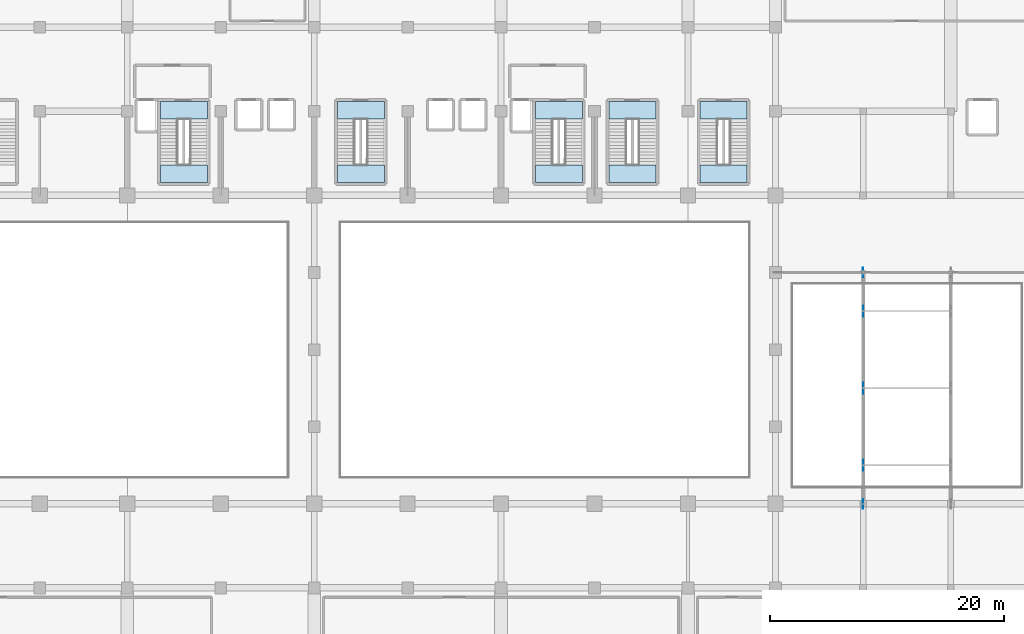
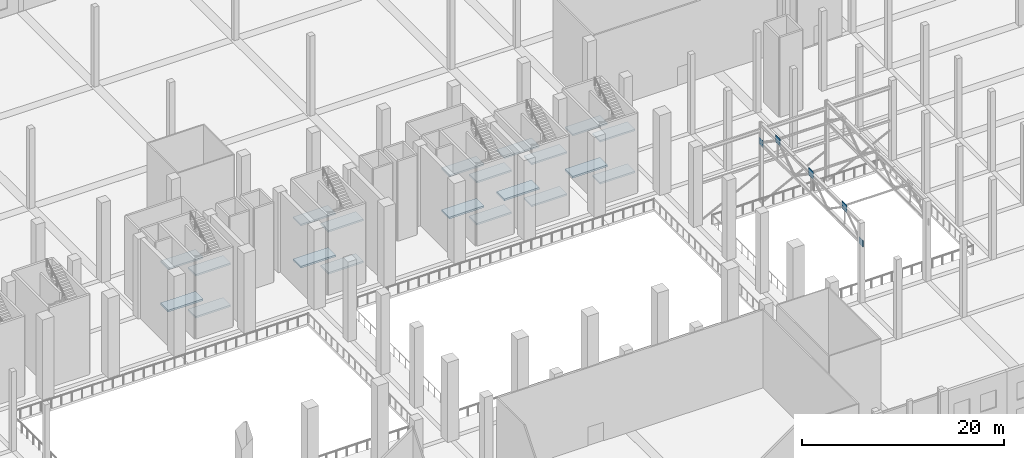
# One storey, part 55 of 80: 20 slabs, 5 plates, 5 elements without a shape of their own.
"""IFC4 building model written with IfcOpenShell, lengths in metres."""

from ifc_helpers import new_model, si_unit, direction, frame, origin, origin_2d, place, context, subcontext, project, spatial, polyline, rectangle, outline, extrude, material, layer, layer_set, type_object, element, aggregate, save


model = new_model("IFC4")

# Units and contexts
model_context = context("Model", 3, precision=1e-05, world=origin(), true_north=direction((0.0, 1.0)))
body_context = subcontext(model_context, "Body", "Model", "MODEL_VIEW")
ifc_project = project(units=[si_unit("LENGTHUNIT", "METRE"), si_unit("AREAUNIT", "SQUARE_METRE"), si_unit("VOLUMEUNIT", "CUBIC_METRE"), si_unit("PLANEANGLEUNIT", "RADIAN"), si_unit("MASSUNIT", "GRAM", prefix="KILO")], contexts=[model_context])

# Site, building, storey
site_placement = place(None, origin())
site = spatial("IfcSite", under=ifc_project, at=site_placement, CompositionType="ELEMENT")
building_placement = place(site_placement, origin())
building = spatial("IfcBuilding", under=site, at=building_placement, Name="Akrevak Sports Hall", CompositionType="ELEMENT")
storey_placement = place(building_placement, frame((0.0, 0.0, 14.0)))
storey = spatial("IfcBuildingStorey", under=building, at=storey_placement, Name="L03", CompositionType="ELEMENT", Elevation=14.0)

# Plates
ifc_material_1 = material(Name="Steel S355", Category="steel")
ifc_layer_1 = layer(ifc_material_1, 0.0400390625, Name="Steel S355")
ifc_layer_set_1 = layer_set([ifc_layer_1], Name="Steel S355")
plate_type_1 = type_object("IfcPlateType", Name="STR-PLT-ANCHOR-40", PredefinedType="SHEET", material=ifc_layer_set_1)
for number, where, z_axis, x_axis, name in (
    (1, (123.0, 28.800048828125, 6.7900390625), (0.0, 0.0, 1.0), (0.0, 1.0, 0.0), "Embedded Steel Anchor Plate TRS-3-E"),
    (2, (123.0, 48.60009765625, 6.7900390625), (0.0, 0.0, 1.0), (0.0, 1.0, 0.0), "Embedded Steel Anchor Plate TRS-3-H"),
):
    element("IfcPlate", number, at=place(storey_placement, frame(where, z_axis=z_axis, x_axis=x_axis)), inside=storey, type_object=plate_type_1, Name=name, PredefinedType="SHEET", context=body_context, shape_type="SweptSolid", body=[
        extrude(rectangle(XDim=0.800048828125, YDim=0.0400390625, at=origin_2d()), origin(), (0.0, 0.0, 1.0), 0.800048828125),
    ])
ifc_layer_2 = layer(ifc_material_1, 0.031982421875, Name="Steel S355")
ifc_layer_set_2 = layer_set([ifc_layer_2], Name="Steel S355")
plate_type_2 = type_object("IfcPlateType", Name="STR-PLT-GUSSET-32", PredefinedType="SHEET", material=ifc_layer_set_2)
for number, where, z_axis, x_axis, name in (
    (3, (123.0, 32.10009765625, 8.989990234375), (0.0, 0.0, 1.0), (1.0, 0.0, 0.0), "Roof Truss Concentric Gusset Plate TRS-3-1"),
    (4, (123.0, 38.699951171875, 8.989990234375), (0.0, 0.0, 1.0), (1.0, 0.0, 0.0), "Roof Truss Concentric Gusset Plate TRS-3-2"),
    (5, (123.0, 45.300048828125, 8.989990234375), (0.0, 0.0, 1.0), (1.0, 0.0, 0.0), "Roof Truss Concentric Gusset Plate TRS-3-3"),
):
    element("IfcPlate", number, at=place(storey_placement, frame(where, z_axis=z_axis, x_axis=x_axis)), inside=storey, type_object=plate_type_2, Name=name, PredefinedType="SHEET", context=body_context, shape_type="SweptSolid", body=[
        extrude(rectangle(XDim=0.031982421875, YDim=0.949951171875, at=origin_2d()), origin(), (0.0, 0.0, 1.0), 0.89990234375),
    ])

# Stair, slabs
ifc_material_2 = material(Name="Concrete C40/50", Category="concrete")
stair_type = type_object("IfcStairType", Name="ARC-STR-DOG-1015", PredefinedType="HALF_TURN_STAIR", material=ifc_material_2)
stair_1_placement = place(storey_placement, origin())
stair_1 = element("IfcStair", 6, at=stair_1_placement, inside=storey, type_object=stair_type, Name="Protected Exit Stair ST1 (L03 to L04)", PredefinedType="HALF_TURN_STAIR")
ifc_layer_3 = layer(ifc_material_2, 0.199951171875, Name="Concrete C40/50")
ifc_layer_set_3 = layer_set([ifc_layer_3], Name="Concrete C40/50")
slab_type_1 = type_object("IfcSlabType", Name="STR-SLB-LAND-200", PredefinedType="LANDING", material=ifc_layer_set_3)
slab_1_placement = place(storey_placement, frame((0.0, 0.0, 2.33740234375)))
slab_1 = element("IfcSlab", 7, at=slab_1_placement, type_object=slab_type_1, Name="Stair ST1 Half-Landing 1 (L03)", PredefinedType="LANDING", context=body_context, shape_type="SweptSolid", body=[
    extrude(outline(polyline([(62.85009765625, 56.300048828125), (66.85009765625, 56.300048828125), (66.85009765625, 57.81494140625), (62.85009765625, 57.81494140625), (62.85009765625, 56.300048828125)])), origin(), (0.0, 0.0, 1.0), 0.2001953125),
])
slab_2_placement = place(storey_placement, frame((0.0, 0.0, 4.875)))
slab_2 = element("IfcSlab", 8, at=slab_2_placement, type_object=slab_type_1, Name="Stair ST1 Half-Landing 2 (L03)", PredefinedType="LANDING", context=body_context, shape_type="SweptSolid", body=[
    extrude(outline(polyline([(62.85009765625, 61.735107421875), (66.85009765625, 61.735107421875), (66.85009765625, 63.25), (62.85009765625, 63.25), (62.85009765625, 61.735107421875)])), origin(), (0.0, 0.0, 1.0), 0.199951171875),
])
slab_3_placement = place(storey_placement, frame((0.0, 0.0, 7.41259765625)))
slab_3 = element("IfcSlab", 9, at=slab_3_placement, type_object=slab_type_1, Name="Stair ST1 Half-Landing 3 (L03)", PredefinedType="LANDING", context=body_context, shape_type="SweptSolid", body=[
    extrude(outline(polyline([(62.85009765625, 56.300048828125), (66.85009765625, 56.300048828125), (66.85009765625, 57.81494140625), (62.85009765625, 57.81494140625), (62.85009765625, 56.300048828125)])), origin(), (0.0, 0.0, 1.0), 0.199951171875),
])
aggregate(stair_1, [slab_1, slab_2, slab_3])

stair_2_placement = place(storey_placement, origin())
stair_2 = element("IfcStair", 10, at=stair_2_placement, inside=storey, type_object=stair_type, Name="Protected Exit Stair ST2 (L03 to L04)", PredefinedType="HALF_TURN_STAIR")
slab_4_placement = place(storey_placement, frame((0.0, 0.0, 2.33740234375)))
slab_4 = element("IfcSlab", 11, at=slab_4_placement, type_object=slab_type_1, Name="Stair ST2 Half-Landing 1 (L03)", PredefinedType="LANDING", context=body_context, shape_type="SweptSolid", body=[
    extrude(outline(polyline([(94.949951171875, 56.300048828125), (98.949951171875, 56.300048828125), (98.949951171875, 57.81494140625), (94.949951171875, 57.81494140625), (94.949951171875, 56.300048828125)])), origin(), (0.0, 0.0, 1.0), 0.2001953125),
])
slab_5_placement = place(storey_placement, frame((0.0, 0.0, 4.875)))
slab_5 = element("IfcSlab", 12, at=slab_5_placement, type_object=slab_type_1, Name="Stair ST2 Half-Landing 2 (L03)", PredefinedType="LANDING", context=body_context, shape_type="SweptSolid", body=[
    extrude(outline(polyline([(94.949951171875, 61.735107421875), (98.949951171875, 61.735107421875), (98.949951171875, 63.25), (94.949951171875, 63.25), (94.949951171875, 61.735107421875)])), origin(), (0.0, 0.0, 1.0), 0.199951171875),
])
slab_6_placement = place(storey_placement, frame((0.0, 0.0, 7.41259765625)))
slab_6 = element("IfcSlab", 13, at=slab_6_placement, type_object=slab_type_1, Name="Stair ST2 Half-Landing 3 (L03)", PredefinedType="LANDING", context=body_context, shape_type="SweptSolid", body=[
    extrude(outline(polyline([(94.949951171875, 56.300048828125), (98.949951171875, 56.300048828125), (98.949951171875, 57.81494140625), (94.949951171875, 57.81494140625), (94.949951171875, 56.300048828125)])), origin(), (0.0, 0.0, 1.0), 0.199951171875),
])
aggregate(stair_2, [slab_4, slab_5, slab_6])

stair_3_placement = place(storey_placement, origin())
stair_3 = element("IfcStair", 14, at=stair_3_placement, inside=storey, type_object=stair_type, Name="Protected Exit Stair ST3 (L03 to L04)", PredefinedType="HALF_TURN_STAIR")
slab_7_placement = place(storey_placement, frame((0.0, 0.0, 2.33740234375)))
slab_7 = element("IfcSlab", 15, at=slab_7_placement, type_object=slab_type_1, Name="Stair ST3 Half-Landing 1 (L03)", PredefinedType="LANDING", context=body_context, shape_type="SweptSolid", body=[
    extrude(outline(polyline([(78.0, 56.300048828125), (82.0, 56.300048828125), (82.0, 57.81494140625), (78.0, 57.81494140625), (78.0, 56.300048828125)])), origin(), (0.0, 0.0, 1.0), 0.2001953125),
])
slab_8_placement = place(storey_placement, frame((0.0, 0.0, 4.875)))
slab_8 = element("IfcSlab", 16, at=slab_8_placement, type_object=slab_type_1, Name="Stair ST3 Half-Landing 2 (L03)", PredefinedType="LANDING", context=body_context, shape_type="SweptSolid", body=[
    extrude(outline(polyline([(78.0, 61.735107421875), (82.0, 61.735107421875), (82.0, 63.25), (78.0, 63.25), (78.0, 61.735107421875)])), origin(), (0.0, 0.0, 1.0), 0.199951171875),
])
slab_9_placement = place(storey_placement, frame((0.0, 0.0, 7.41259765625)))
slab_9 = element("IfcSlab", 17, at=slab_9_placement, type_object=slab_type_1, Name="Stair ST3 Half-Landing 3 (L03)", PredefinedType="LANDING", context=body_context, shape_type="SweptSolid", body=[
    extrude(outline(polyline([(78.0, 56.300048828125), (82.0, 56.300048828125), (82.0, 57.81494140625), (78.0, 57.81494140625), (78.0, 56.300048828125)])), origin(), (0.0, 0.0, 1.0), 0.199951171875),
])
aggregate(stair_3, [slab_7, slab_8, slab_9])

stair_4_placement = place(storey_placement, origin())
stair_4 = element("IfcStair", 18, at=stair_4_placement, inside=storey, type_object=stair_type, Name="East Wing Exit Stair ST10 (L03 to L04)", PredefinedType="HALF_TURN_STAIR")
slab_10_placement = place(storey_placement, frame((0.0, 0.0, 2.33740234375)))
slab_10 = element("IfcSlab", 19, at=slab_10_placement, type_object=slab_type_1, Name="Stair ST10 Half-Landing 1 (L03)", PredefinedType="LANDING", context=body_context, shape_type="SweptSolid", body=[
    extrude(outline(polyline([(101.25, 56.300048828125), (105.25, 56.300048828125), (105.25, 57.81494140625), (101.25, 57.81494140625), (101.25, 56.300048828125)])), origin(), (0.0, 0.0, 1.0), 0.2001953125),
])
slab_11_placement = place(storey_placement, frame((0.0, 0.0, 4.875)))
slab_11 = element("IfcSlab", 20, at=slab_11_placement, type_object=slab_type_1, Name="Stair ST10 Half-Landing 2 (L03)", PredefinedType="LANDING", context=body_context, shape_type="SweptSolid", body=[
    extrude(outline(polyline([(101.25, 61.735107421875), (105.25, 61.735107421875), (105.25, 63.25), (101.25, 63.25), (101.25, 61.735107421875)])), origin(), (0.0, 0.0, 1.0), 0.199951171875),
])
slab_12_placement = place(storey_placement, frame((0.0, 0.0, 7.41259765625)))
slab_12 = element("IfcSlab", 21, at=slab_12_placement, type_object=slab_type_1, Name="Stair ST10 Half-Landing 3 (L03)", PredefinedType="LANDING", context=body_context, shape_type="SweptSolid", body=[
    extrude(outline(polyline([(101.25, 56.300048828125), (105.25, 56.300048828125), (105.25, 57.81494140625), (101.25, 57.81494140625), (101.25, 56.300048828125)])), origin(), (0.0, 0.0, 1.0), 0.199951171875),
])
aggregate(stair_4, [slab_10, slab_11, slab_12])

stair_5_placement = place(storey_placement, origin())
stair_5 = element("IfcStair", 22, at=stair_5_placement, inside=storey, type_object=stair_type, Name="East Transfer Exit Stair ST11 (L03 to L04)", PredefinedType="HALF_TURN_STAIR")
slab_13_placement = place(storey_placement, frame((0.0, 0.0, 2.33740234375)))
slab_13 = element("IfcSlab", 23, at=slab_13_placement, type_object=slab_type_1, Name="Stair ST11 Half-Landing 1 (L03)", PredefinedType="LANDING", context=body_context, shape_type="SweptSolid", body=[
    extrude(outline(polyline([(109.050048828125, 56.300048828125), (113.050048828125, 56.300048828125), (113.050048828125, 57.81494140625), (109.050048828125, 57.81494140625), (109.050048828125, 56.300048828125)])), origin(), (0.0, 0.0, 1.0), 0.2001953125),
])
slab_14_placement = place(storey_placement, frame((0.0, 0.0, 4.875)))
slab_14 = element("IfcSlab", 24, at=slab_14_placement, type_object=slab_type_1, Name="Stair ST11 Half-Landing 2 (L03)", PredefinedType="LANDING", context=body_context, shape_type="SweptSolid", body=[
    extrude(outline(polyline([(109.050048828125, 61.735107421875), (113.050048828125, 61.735107421875), (113.050048828125, 63.25), (109.050048828125, 63.25), (109.050048828125, 61.735107421875)])), origin(), (0.0, 0.0, 1.0), 0.199951171875),
])
slab_15_placement = place(storey_placement, frame((0.0, 0.0, 7.41259765625)))
slab_15 = element("IfcSlab", 25, at=slab_15_placement, type_object=slab_type_1, Name="Stair ST11 Half-Landing 3 (L03)", PredefinedType="LANDING", context=body_context, shape_type="SweptSolid", body=[
    extrude(outline(polyline([(109.050048828125, 56.300048828125), (113.050048828125, 56.300048828125), (113.050048828125, 57.81494140625), (109.050048828125, 57.81494140625), (109.050048828125, 56.300048828125)])), origin(), (0.0, 0.0, 1.0), 0.199951171875),
])
aggregate(stair_5, [slab_13, slab_14, slab_15])

# Slabs
ifc_layer_4 = layer(ifc_material_2, 0.219970703125, Name="Concrete C40/50")
ifc_layer_set_4 = layer_set([ifc_layer_4], Name="Concrete C40/50")
slab_type_2 = type_object("IfcSlabType", Name="STR-SLB-LAND-220", PredefinedType="LANDING", material=ifc_layer_set_4)
slab_16_placement = place(storey_placement, frame((0.0, 0.0, -0.219970703125)))
element("IfcSlab", 26, at=slab_16_placement, inside=storey, type_object=slab_type_2, Name="Stair ST1 Floor Landing (L03)", PredefinedType="LANDING", context=body_context, shape_type="SweptSolid", body=[
    extrude(outline(polyline([(62.85009765625, 61.735107421875), (66.85009765625, 61.735107421875), (66.85009765625, 63.25), (62.85009765625, 63.25), (62.85009765625, 61.735107421875)])), origin(), (0.0, 0.0, 1.0), 0.219970703125),
])
slab_17_placement = place(storey_placement, frame((0.0, 0.0, -0.219970703125)))
element("IfcSlab", 27, at=slab_17_placement, inside=storey, type_object=slab_type_2, Name="Stair ST2 Floor Landing (L03)", PredefinedType="LANDING", context=body_context, shape_type="SweptSolid", body=[
    extrude(outline(polyline([(94.949951171875, 61.735107421875), (98.949951171875, 61.735107421875), (98.949951171875, 63.25), (94.949951171875, 63.25), (94.949951171875, 61.735107421875)])), origin(), (0.0, 0.0, 1.0), 0.219970703125),
])
slab_18_placement = place(storey_placement, frame((0.0, 0.0, -0.219970703125)))
element("IfcSlab", 28, at=slab_18_placement, inside=storey, type_object=slab_type_2, Name="Stair ST3 Floor Landing (L03)", PredefinedType="LANDING", context=body_context, shape_type="SweptSolid", body=[
    extrude(outline(polyline([(78.0, 61.735107421875), (82.0, 61.735107421875), (82.0, 63.25), (78.0, 63.25), (78.0, 61.735107421875)])), origin(), (0.0, 0.0, 1.0), 0.219970703125),
])
slab_19_placement = place(storey_placement, frame((0.0, 0.0, -0.219970703125)))
element("IfcSlab", 29, at=slab_19_placement, inside=storey, type_object=slab_type_2, Name="Stair ST10 Floor Landing (L03)", PredefinedType="LANDING", context=body_context, shape_type="SweptSolid", body=[
    extrude(outline(polyline([(101.25, 61.735107421875), (105.25, 61.735107421875), (105.25, 63.25), (101.25, 63.25), (101.25, 61.735107421875)])), origin(), (0.0, 0.0, 1.0), 0.219970703125),
])
slab_20_placement = place(storey_placement, frame((0.0, 0.0, -0.219970703125)))
element("IfcSlab", 30, at=slab_20_placement, inside=storey, type_object=slab_type_2, Name="Stair ST11 Floor Landing (L03)", PredefinedType="LANDING", context=body_context, shape_type="SweptSolid", body=[
    extrude(outline(polyline([(109.050048828125, 61.735107421875), (113.050048828125, 61.735107421875), (113.050048828125, 63.25), (109.050048828125, 63.25), (109.050048828125, 61.735107421875)])), origin(), (0.0, 0.0, 1.0), 0.219970703125),
])

save(model, "model.ifc")
